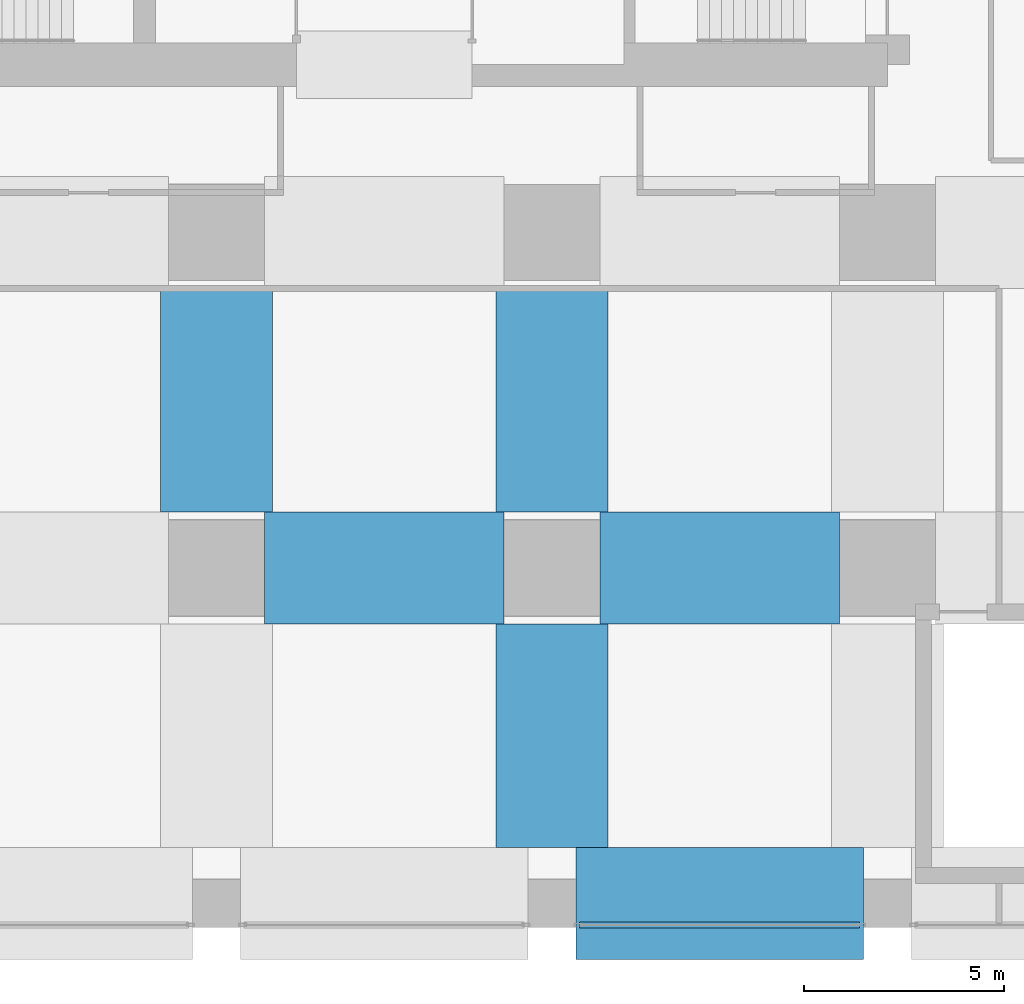
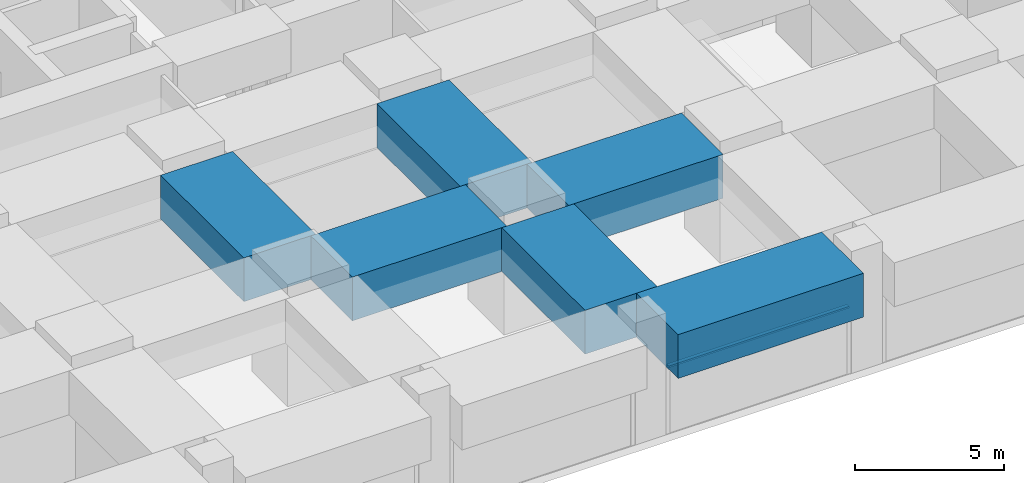
# One storey, part 14 of 52: 6 beams, 1 member, 1 element without a shape of its own.
"""IFC4 building model written with IfcOpenShell, lengths in metres."""

from ifc_helpers import new_model, si_unit, direction, frame, origin, origin_2d, place, context, subcontext, project, spatial, rectangle, hollow_rectangle, extrude, material, material_profile, profile_set, type_object, element, aggregate, save


model = new_model("IFC4")

# Units and contexts
model_context = context("Model", 3, precision=1e-05, world=origin(), true_north=direction((0.0, 1.0)))
body_context = subcontext(model_context, "Body", "Model", "MODEL_VIEW")
ifc_project = project(units=[si_unit("LENGTHUNIT", "METRE"), si_unit("AREAUNIT", "SQUARE_METRE"), si_unit("VOLUMEUNIT", "CUBIC_METRE"), si_unit("PLANEANGLEUNIT", "RADIAN"), si_unit("MASSUNIT", "GRAM", prefix="KILO")], contexts=[model_context])

# Site, building, storey
site_placement = place(None, origin())
site = spatial("IfcSite", under=ifc_project, at=site_placement, CompositionType="ELEMENT")
building_placement = place(site_placement, origin())
building = spatial("IfcBuilding", under=site, at=building_placement, Name="Rekha Terrace Tower", CompositionType="ELEMENT")
storey_placement = place(building_placement, frame((0.0, 0.0, 20.39990234375)))
storey = spatial("IfcBuildingStorey", under=building, at=storey_placement, Name="L04", CompositionType="ELEMENT", Elevation=20.39990234375)

# Curtain wall, member
ifc_material_1 = material(Name="Aluminium framing", Category="aluminium")
curtain_wall_type = type_object("IfcCurtainWallType", Name="CW4 podium shopfront glazing", PredefinedType="USERDEFINED", material=ifc_material_1)
curtain_wall_placement = place(storey_placement, origin())
curtain_wall = element("IfcCurtainWall", 1, at=curtain_wall_placement, inside=storey, type_object=curtain_wall_type, Name="CW4 shopfront curtain wall", ObjectType="SHOPFRONT CURTAIN WALL", PredefinedType="USERDEFINED")
ifc_material_2 = material(Name="Aluminium transom section", Category="aluminium")
ifc_material_profile_1 = material_profile(ifc_material_2, hollow_rectangle(XDim=0.14990234375, YDim=0.074951171875, WallThickness=0.0029296875, at=origin_2d()), Name="AL RHS 150x75")
ifc_profile_set_1 = profile_set([ifc_material_profile_1], Name="Aluminium transom section")
member_type = type_object("IfcMemberType", Name="CW4 transom RHS 75 x 150", PredefinedType="USERDEFINED", material=ifc_profile_set_1)
member_placement = place(storey_placement, frame((42.695068359375, -0.5400390625, 2.7626953125), z_axis=(1.0, 0.0, 0.0), x_axis=(0.0, 1.0, 0.0)))
member = element("IfcMember", 2, at=member_placement, type_object=member_type, Name="CW4 transom 1.2", ObjectType="TRANSOM", PredefinedType="USERDEFINED", context=body_context, shape_type="SweptSolid", body=[
    extrude(hollow_rectangle(XDim=0.14990234375, YDim=0.074951171875, WallThickness=0.0029296875, at=origin_2d()), origin(), (0.0, 0.0, 1.0), 7.010009765625),
])
aggregate(curtain_wall, [member])

# Beams
ifc_material_3 = material(Name="Concrete M70", Category="concrete")
ifc_material_profile_2 = material_profile(ifc_material_3, rectangle(XDim=2.800048828125, YDim=1.800048828125, at=origin_2d()), Name="RC 2800x1800")
ifc_profile_set_2 = profile_set([ifc_material_profile_2], Name="Concrete M70")
beam_type = type_object("IfcBeamType", Name="G2 2800x1800 podium roof band beam", PredefinedType="BEAM", material=ifc_profile_set_2)
beam_1_placement = place(storey_placement, frame((34.800048828125, 8.39990234375, 3.7001953125), z_axis=(1.0, 0.0, 0.0), x_axis=(0.0, 1.0, 0.0)))
element("IfcBeam", 3, at=beam_1_placement, inside=storey, type_object=beam_type, Name="Beam G2 5B-6B under L05", PredefinedType="BEAM", context=body_context, shape_type="SweptSolid", body=[
    extrude(rectangle(XDim=2.800048828125, YDim=1.800048828125, at=origin_2d()), origin(), (0.0, 0.0, 1.0), 6.0),
])
beam_2_placement = place(storey_placement, frame((33.60009765625, 9.800048828125, 3.7001953125), z_axis=(0.0, 1.0, 0.0), x_axis=(-1.0, 0.0, 0.0)))
element("IfcBeam", 4, at=beam_2_placement, inside=storey, type_object=beam_type, Name="Beam G2 5B-5C under L05", PredefinedType="BEAM", context=body_context, shape_type="SweptSolid", body=[
    extrude(rectangle(XDim=2.800048828125, YDim=1.800048828125, at=origin_2d()), origin(), (0.0, 0.0, 1.0), 5.599853515625),
])
beam_3_placement = place(storey_placement, frame((42.60009765625, 0.0, 3.7001953125), z_axis=(1.0, 0.0, 0.0), x_axis=(0.0, 1.0, 0.0)))
element("IfcBeam", 5, at=beam_3_placement, inside=storey, type_object=beam_type, Name="Beam G2 6A-7A under L05", PredefinedType="BEAM", context=body_context, shape_type="SweptSolid", body=[
    extrude(rectangle(XDim=2.800048828125, YDim=1.800048828125, at=origin_2d()), origin(), (0.0, 0.0, 1.0), 7.199951171875),
])
beam_4_placement = place(storey_placement, frame((42.0, 1.39990234375, 3.7001953125), z_axis=(0.0, 1.0, 0.0), x_axis=(-1.0, 0.0, 0.0)))
element("IfcBeam", 6, at=beam_4_placement, inside=storey, type_object=beam_type, Name="Beam G2 6A-6B under L05", PredefinedType="BEAM", context=body_context, shape_type="SweptSolid", body=[
    extrude(rectangle(XDim=2.800048828125, YDim=1.800048828125, at=origin_2d()), origin(), (0.0, 0.0, 1.0), 5.60009765625),
])
beam_5_placement = place(storey_placement, frame((43.199951171875, 8.39990234375, 3.7001953125), z_axis=(1.0, 0.0, 0.0), x_axis=(0.0, 1.0, 0.0)))
element("IfcBeam", 7, at=beam_5_placement, inside=storey, type_object=beam_type, Name="Beam G2 6B-7B under L05", PredefinedType="BEAM", context=body_context, shape_type="SweptSolid", body=[
    extrude(rectangle(XDim=2.800048828125, YDim=1.800048828125, at=origin_2d()), origin(), (0.0, 0.0, 1.0), 6.0),
])
beam_6_placement = place(storey_placement, frame((42.0, 9.800048828125, 3.7001953125), z_axis=(0.0, 1.0, 0.0), x_axis=(-1.0, 0.0, 0.0)))
element("IfcBeam", 8, at=beam_6_placement, inside=storey, type_object=beam_type, Name="Beam G2 6B-6C under L05", PredefinedType="BEAM", context=body_context, shape_type="SweptSolid", body=[
    extrude(rectangle(XDim=2.800048828125, YDim=1.800048828125, at=origin_2d()), origin(), (0.0, 0.0, 1.0), 5.599853515625),
])

save(model, "model.ifc")
